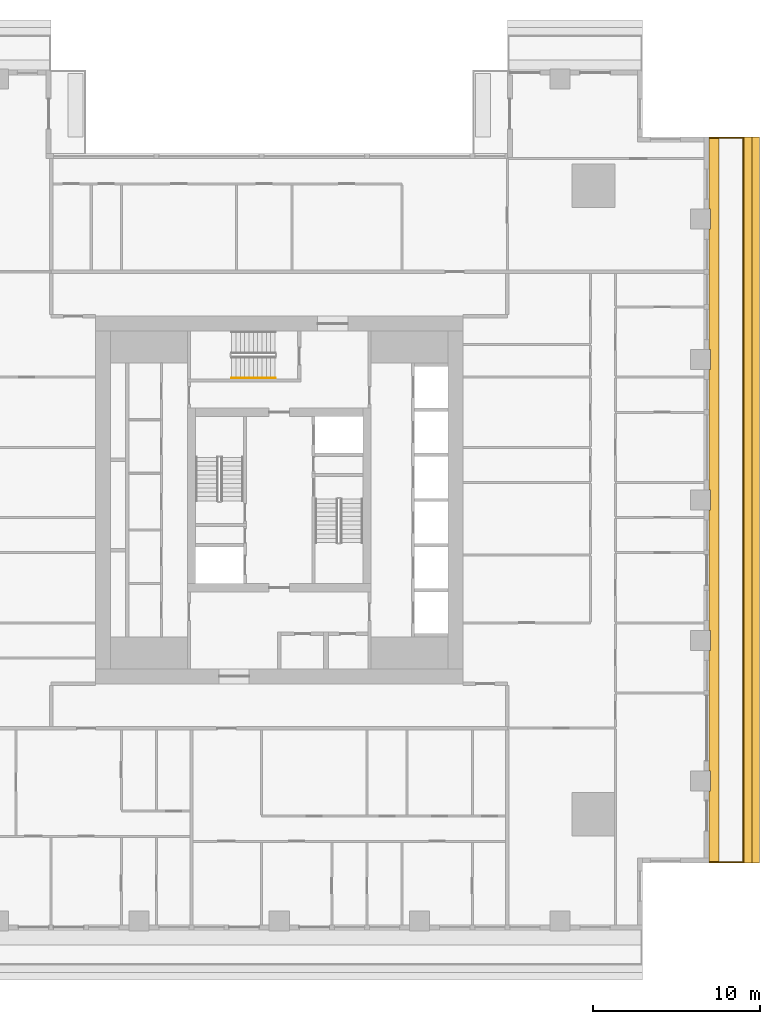
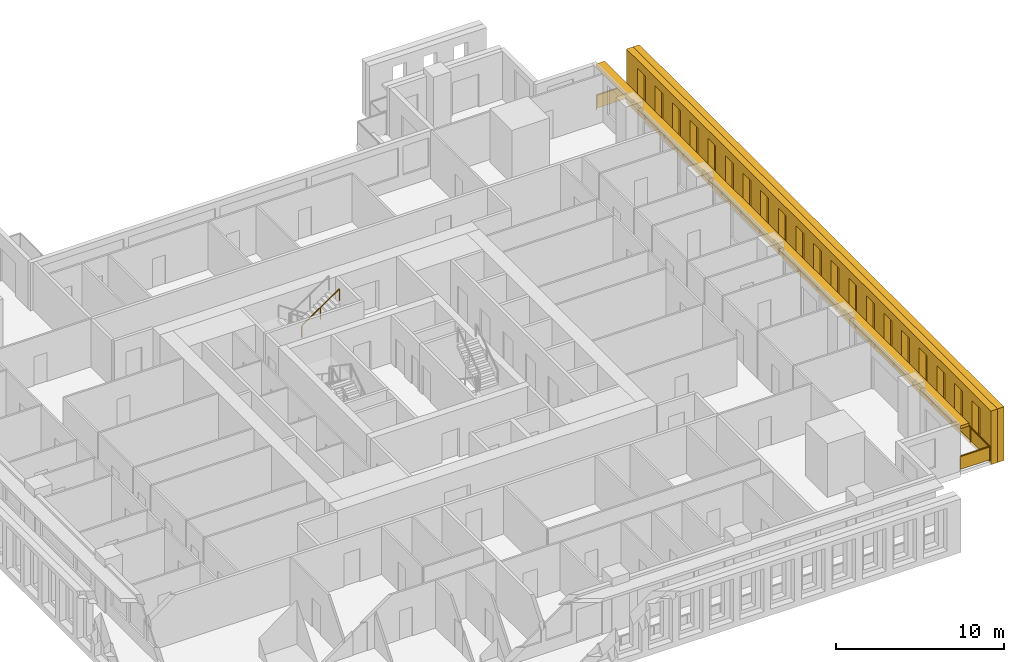
# One storey, part 14 of 16: 3 shading devices, 2 railings.
"""IFC4 building model written with IfcOpenShell, lengths in metres."""

from ifc_helpers import new_model, si_unit, direction, frame, origin, origin_2d, place, context, subcontext, project, spatial, polyline, rectangle, outline, extrude, material, layer, layer_set, type_object, element, save


model = new_model("IFC4")

# Units and contexts
model_context = context("Model", 3, precision=1e-05, world=origin(), true_north=direction((0.0, 1.0)))
body_context = subcontext(model_context, "Body", "Model", "MODEL_VIEW")
ifc_project = project(units=[si_unit("LENGTHUNIT", "METRE"), si_unit("AREAUNIT", "SQUARE_METRE"), si_unit("VOLUMEUNIT", "CUBIC_METRE"), si_unit("PLANEANGLEUNIT", "RADIAN"), si_unit("MASSUNIT", "GRAM", prefix="KILO")], contexts=[model_context])

# Site, building, storey
site_placement = place(None, origin())
site = spatial("IfcSite", under=ifc_project, at=site_placement, CompositionType="ELEMENT")
building_placement = place(site_placement, origin())
building = spatial("IfcBuilding", under=site, at=building_placement, Name="Khepri Terraces", CompositionType="ELEMENT")
storey_placement = place(building_placement, frame((0.0, 0.0, 172.800048828125)))
storey = spatial("IfcBuildingStorey", under=building, at=storey_placement, Name="L41", CompositionType="ELEMENT", Elevation=172.800048828125)

# Railings
ifc_material_1 = material(Name="Stainless steel grade 316", Category="steel")
railing_type_1 = type_object("IfcRailingType", Name="GRD-BAL-1100", PredefinedType="GUARDRAIL", material=ifc_material_1)
railing_1_placement = place(storey_placement, frame((25.719970703125, -21.669921875, 0.0)))
element("IfcRailing", 1, at=railing_1_placement, inside=storey, type_object=railing_type_1, Name="Balcony guard L41 E", PredefinedType="GUARDRAIL", context=body_context, shape_type="SweptSolid", body=[
    extrude(rectangle(XDim=0.050048828125, YDim=0.06005859375, at=origin_2d()), frame((0.0, 0.0, 1.070068359375), z_axis=(1.0, 0.0, 0.0), x_axis=(0.0, 1.0, 0.0)), (0.0, 0.0, 1.0), 2.050048828125),
    extrude(rectangle(XDim=2.0, YDim=0.011962890625, at=origin_2d()), frame((1.02490234375, 0.0, 0.10009765625), z_axis=(0.0, 0.0, 1.0), x_axis=(1.0, 0.0, 0.0)), (0.0, 0.0, 1.0), 0.93994140625),
    extrude(rectangle(XDim=0.050048828125, YDim=0.06005859375, at=origin_2d()), frame((2.050048828125, 0.0, 1.070068359375), z_axis=(0.0, 1.0, 0.0), x_axis=(-1.0, 0.0, 0.0)), (0.0, 0.0, 1.0), 43.33984375),
    extrude(rectangle(XDim=2.23095703125, YDim=0.011962890625, at=origin_2d()), frame((2.050048828125, 1.140625, 0.10009765625), z_axis=(0.0, 0.0, 1.0), x_axis=(0.0, 1.0, 0.0)), (0.0, 0.0, 1.0), 0.93994140625),
    extrude(rectangle(XDim=2.23095703125, YDim=0.011962890625, at=origin_2d()), frame((2.050048828125, 3.421630859375, 0.10009765625), z_axis=(0.0, 0.0, 1.0), x_axis=(0.0, 1.0, 0.0)), (0.0, 0.0, 1.0), 0.93994140625),
    extrude(rectangle(XDim=2.23095703125, YDim=0.011962890625, at=origin_2d()), frame((2.050048828125, 5.70263671875, 0.10009765625), z_axis=(0.0, 0.0, 1.0), x_axis=(0.0, 1.0, 0.0)), (0.0, 0.0, 1.0), 0.93994140625),
    extrude(rectangle(XDim=2.23095703125, YDim=0.011962890625, at=origin_2d()), frame((2.050048828125, 7.983642578125, 0.10009765625), z_axis=(0.0, 0.0, 1.0), x_axis=(0.0, 1.0, 0.0)), (0.0, 0.0, 1.0), 0.93994140625),
    extrude(rectangle(XDim=2.23095703125, YDim=0.011962890625, at=origin_2d()), frame((2.050048828125, 10.2646484375, 0.10009765625), z_axis=(0.0, 0.0, 1.0), x_axis=(0.0, 1.0, 0.0)), (0.0, 0.0, 1.0), 0.93994140625),
    extrude(rectangle(XDim=2.23095703125, YDim=0.011962890625, at=origin_2d()), frame((2.050048828125, 12.545654296875, 0.10009765625), z_axis=(0.0, 0.0, 1.0), x_axis=(0.0, 1.0, 0.0)), (0.0, 0.0, 1.0), 0.93994140625),
    extrude(rectangle(XDim=2.23095703125, YDim=0.011962890625, at=origin_2d()), frame((2.050048828125, 14.826904296875, 0.10009765625), z_axis=(0.0, 0.0, 1.0), x_axis=(0.0, 1.0, 0.0)), (0.0, 0.0, 1.0), 0.93994140625),
    extrude(rectangle(XDim=2.23095703125, YDim=0.011962890625, at=origin_2d()), frame((2.050048828125, 17.10791015625, 0.10009765625), z_axis=(0.0, 0.0, 1.0), x_axis=(0.0, 1.0, 0.0)), (0.0, 0.0, 1.0), 0.93994140625),
    extrude(rectangle(XDim=2.23095703125, YDim=0.011962890625, at=origin_2d()), frame((2.050048828125, 19.388916015625, 0.10009765625), z_axis=(0.0, 0.0, 1.0), x_axis=(0.0, 1.0, 0.0)), (0.0, 0.0, 1.0), 0.93994140625),
    extrude(rectangle(XDim=2.23095703125, YDim=0.011962890625, at=origin_2d()), frame((2.050048828125, 21.669921875, 0.10009765625), z_axis=(0.0, 0.0, 1.0), x_axis=(0.0, 1.0, 0.0)), (0.0, 0.0, 1.0), 0.93994140625),
    extrude(rectangle(XDim=2.23095703125, YDim=0.011962890625, at=origin_2d()), frame((2.050048828125, 23.950927734375, 0.10009765625), z_axis=(0.0, 0.0, 1.0), x_axis=(0.0, 1.0, 0.0)), (0.0, 0.0, 1.0), 0.93994140625),
    extrude(rectangle(XDim=2.23095703125, YDim=0.011962890625, at=origin_2d()), frame((2.050048828125, 26.23193359375, 0.10009765625), z_axis=(0.0, 0.0, 1.0), x_axis=(0.0, 1.0, 0.0)), (0.0, 0.0, 1.0), 0.93994140625),
    extrude(rectangle(XDim=2.23095703125, YDim=0.011962890625, at=origin_2d()), frame((2.050048828125, 28.512939453125, 0.10009765625), z_axis=(0.0, 0.0, 1.0), x_axis=(0.0, 1.0, 0.0)), (0.0, 0.0, 1.0), 0.93994140625),
    extrude(rectangle(XDim=2.23095703125, YDim=0.011962890625, at=origin_2d()), frame((2.050048828125, 30.794189453125, 0.10009765625), z_axis=(0.0, 0.0, 1.0), x_axis=(0.0, 1.0, 0.0)), (0.0, 0.0, 1.0), 0.93994140625),
    extrude(rectangle(XDim=2.23095703125, YDim=0.011962890625, at=origin_2d()), frame((2.050048828125, 33.0751953125, 0.10009765625), z_axis=(0.0, 0.0, 1.0), x_axis=(0.0, 1.0, 0.0)), (0.0, 0.0, 1.0), 0.93994140625),
    extrude(rectangle(XDim=2.23095703125, YDim=0.011962890625, at=origin_2d()), frame((2.050048828125, 35.356201171875, 0.10009765625), z_axis=(0.0, 0.0, 1.0), x_axis=(0.0, 1.0, 0.0)), (0.0, 0.0, 1.0), 0.93994140625),
    extrude(rectangle(XDim=2.23095703125, YDim=0.011962890625, at=origin_2d()), frame((2.050048828125, 37.63720703125, 0.10009765625), z_axis=(0.0, 0.0, 1.0), x_axis=(0.0, 1.0, 0.0)), (0.0, 0.0, 1.0), 0.93994140625),
    extrude(rectangle(XDim=2.23095703125, YDim=0.011962890625, at=origin_2d()), frame((2.050048828125, 39.918212890625, 0.10009765625), z_axis=(0.0, 0.0, 1.0), x_axis=(0.0, 1.0, 0.0)), (0.0, 0.0, 1.0), 0.93994140625),
    extrude(rectangle(XDim=2.23095703125, YDim=0.011962890625, at=origin_2d()), frame((2.050048828125, 42.19921875, 0.10009765625), z_axis=(0.0, 0.0, 1.0), x_axis=(0.0, 1.0, 0.0)), (0.0, 0.0, 1.0), 0.93994140625),
    extrude(rectangle(XDim=0.050048828125, YDim=0.06005859375, at=origin_2d()), frame((2.050048828125, 43.33984375, 1.070068359375), z_axis=(-1.0, 0.0, 0.0), x_axis=(0.0, -1.0, 0.0)), (0.0, 0.0, 1.0), 2.050048828125),
    extrude(rectangle(XDim=2.0, YDim=0.011962890625, at=origin_2d()), frame((1.02490234375, 43.33984375, 0.10009765625), z_axis=(0.0, 0.0, 1.0), x_axis=(-1.0, 0.0, 0.0)), (0.0, 0.0, 1.0), 0.93994140625),
    extrude(rectangle(XDim=0.050048828125, YDim=0.050048828125, at=origin_2d()), origin(), (0.0, 0.0, 1.0), 1.0400390625),
    extrude(rectangle(XDim=0.050048828125, YDim=0.050048828125, at=origin_2d()), frame((2.050048828125, 0.0, 0.0)), (0.0, 0.0, 1.0), 1.0400390625),
    extrude(rectangle(XDim=0.050048828125, YDim=0.050048828125, at=origin_2d()), frame((2.050048828125, 2.281005859375, 0.0)), (0.0, 0.0, 1.0), 1.0400390625),
    extrude(rectangle(XDim=0.050048828125, YDim=0.050048828125, at=origin_2d()), frame((2.050048828125, 4.56201171875, 0.0)), (0.0, 0.0, 1.0), 1.0400390625),
    extrude(rectangle(XDim=0.050048828125, YDim=0.050048828125, at=origin_2d()), frame((2.050048828125, 6.843017578125, 0.0)), (0.0, 0.0, 1.0), 1.0400390625),
    extrude(rectangle(XDim=0.050048828125, YDim=0.050048828125, at=origin_2d()), frame((2.050048828125, 9.124267578125, 0.0)), (0.0, 0.0, 1.0), 1.0400390625),
    extrude(rectangle(XDim=0.050048828125, YDim=0.050048828125, at=origin_2d()), frame((2.050048828125, 11.4052734375, 0.0)), (0.0, 0.0, 1.0), 1.0400390625),
    extrude(rectangle(XDim=0.050048828125, YDim=0.050048828125, at=origin_2d()), frame((2.050048828125, 13.686279296875, 0.0)), (0.0, 0.0, 1.0), 1.0400390625),
    extrude(rectangle(XDim=0.050048828125, YDim=0.050048828125, at=origin_2d()), frame((2.050048828125, 15.96728515625, 0.0)), (0.0, 0.0, 1.0), 1.0400390625),
    extrude(rectangle(XDim=0.050048828125, YDim=0.050048828125, at=origin_2d()), frame((2.050048828125, 18.248291015625, 0.0)), (0.0, 0.0, 1.0), 1.0400390625),
    extrude(rectangle(XDim=0.050048828125, YDim=0.050048828125, at=origin_2d()), frame((2.050048828125, 20.529296875, 0.0)), (0.0, 0.0, 1.0), 1.0400390625),
    extrude(rectangle(XDim=0.050048828125, YDim=0.050048828125, at=origin_2d()), frame((2.050048828125, 22.810546875, 0.0)), (0.0, 0.0, 1.0), 1.0400390625),
    extrude(rectangle(XDim=0.050048828125, YDim=0.050048828125, at=origin_2d()), frame((2.050048828125, 25.091552734375, 0.0)), (0.0, 0.0, 1.0), 1.0400390625),
    extrude(rectangle(XDim=0.050048828125, YDim=0.050048828125, at=origin_2d()), frame((2.050048828125, 27.37255859375, 0.0)), (0.0, 0.0, 1.0), 1.0400390625),
    extrude(rectangle(XDim=0.050048828125, YDim=0.050048828125, at=origin_2d()), frame((2.050048828125, 29.653564453125, 0.0)), (0.0, 0.0, 1.0), 1.0400390625),
    extrude(rectangle(XDim=0.050048828125, YDim=0.050048828125, at=origin_2d()), frame((2.050048828125, 31.9345703125, 0.0)), (0.0, 0.0, 1.0), 1.0400390625),
    extrude(rectangle(XDim=0.050048828125, YDim=0.050048828125, at=origin_2d()), frame((2.050048828125, 34.215576171875, 0.0)), (0.0, 0.0, 1.0), 1.0400390625),
    extrude(rectangle(XDim=0.050048828125, YDim=0.050048828125, at=origin_2d()), frame((2.050048828125, 36.496826171875, 0.0)), (0.0, 0.0, 1.0), 1.0400390625),
    extrude(rectangle(XDim=0.050048828125, YDim=0.050048828125, at=origin_2d()), frame((2.050048828125, 38.77783203125, 0.0)), (0.0, 0.0, 1.0), 1.0400390625),
    extrude(rectangle(XDim=0.050048828125, YDim=0.050048828125, at=origin_2d()), frame((2.050048828125, 41.058837890625, 0.0)), (0.0, 0.0, 1.0), 1.0400390625),
    extrude(rectangle(XDim=0.050048828125, YDim=0.050048828125, at=origin_2d()), frame((2.050048828125, 43.33984375, 0.0)), (0.0, 0.0, 1.0), 1.0400390625),
    extrude(rectangle(XDim=0.050048828125, YDim=0.050048828125, at=origin_2d()), frame((0.0, 43.33984375, 0.0)), (0.0, 0.0, 1.0), 1.0400390625),
])
ifc_material_2 = material(Name="Stainless steel 316", Category="steel")
railing_type_2 = type_object("IfcRailingType", Name="RL-CORE-HANDRAIL", PredefinedType="HANDRAIL", material=ifc_material_2)
railing_2_placement = place(storey_placement, frame((-2.85009765625, 7.300048828125, 2.127197265625)))
element("IfcRailing", 2, at=railing_2_placement, inside=storey, type_object=railing_type_2, Name="L41 ST-3 stair handrail 2", PredefinedType="HANDRAIL", context=body_context, shape_type="SweptSolid", body=[
    extrude(rectangle(XDim=0.050048828125, YDim=0.050048828125, at=origin_2d()), frame((0.0, 0.0, 0.875), z_axis=(0.826240473404, 0.0, 0.563317565952), x_axis=(0.0, 1.0, 0.0)), (0.0, 0.0, 1.0), 3.14697265625),
    extrude(rectangle(XDim=0.050048828125, YDim=0.050048828125, at=origin_2d()), origin(), (0.0, 0.0, 1.0), 0.849853515625),
    extrude(rectangle(XDim=0.050048828125, YDim=0.050048828125, at=origin_2d()), frame((1.300048828125, 0.0, 0.88623046875)), (0.0, 0.0, 1.0), 0.849853515625),
    extrude(rectangle(XDim=0.050048828125, YDim=0.050048828125, at=origin_2d()), frame((2.60009765625, 0.0, 1.772705078125)), (0.0, 0.0, 1.0), 0.849853515625),
])

# Shading devices
ifc_material_3 = material(Name="Precast concrete C50/60 warm stone", Category="masonry")
shading_device_type_1 = type_object("IfcShadingDeviceType", Name="SCR-CELL-INNER-450", PredefinedType="USERDEFINED", material=ifc_material_3)
shading_device_1_placement = place(storey_placement, frame((27.820068359375, -21.719970703125, -0.25), z_axis=(1.0, 0.0, 0.0), x_axis=(0.0, 1.0, 0.0)))
element("IfcShadingDevice", 3, at=shading_device_1_placement, inside=storey, type_object=shading_device_type_1, Name="Cell screen L41 E in", ObjectType="SCREEN", PredefinedType="USERDEFINED", context=body_context, shape_type="SweptSolid", body=[
    extrude(outline(polyline([(0.0, 0.0), (43.43994140625, 0.0), (43.43994140625, 3.89990234375), (0.0, 3.89990234375), (0.0, 0.0)]), holes=[polyline([(1.297607421875, 0.699951171875), (2.242431640625, 0.699951171875), (2.242431640625, 3.300048828125), (1.297607421875, 3.300048828125), (1.297607421875, 0.699951171875)]), polyline([(3.3974609375, 0.699951171875), (4.342529296875, 0.699951171875), (4.342529296875, 3.300048828125), (3.3974609375, 3.300048828125), (3.3974609375, 0.699951171875)]), polyline([(5.49755859375, 0.699951171875), (6.4423828125, 0.699951171875), (6.4423828125, 3.300048828125), (5.49755859375, 3.300048828125), (5.49755859375, 0.699951171875)]), polyline([(7.597412109375, 0.699951171875), (8.54248046875, 0.699951171875), (8.54248046875, 3.300048828125), (7.597412109375, 3.300048828125), (7.597412109375, 0.699951171875)]), polyline([(9.697509765625, 0.699951171875), (10.642578125, 0.699951171875), (10.642578125, 3.300048828125), (9.697509765625, 3.300048828125), (9.697509765625, 0.699951171875)]), polyline([(11.797607421875, 0.699951171875), (12.742431640625, 0.699951171875), (12.742431640625, 3.300048828125), (11.797607421875, 3.300048828125), (11.797607421875, 0.699951171875)]), polyline([(13.8974609375, 0.699951171875), (14.842529296875, 0.699951171875), (14.842529296875, 3.300048828125), (13.8974609375, 3.300048828125), (13.8974609375, 0.699951171875)]), polyline([(15.99755859375, 0.699951171875), (16.9423828125, 0.699951171875), (16.9423828125, 3.300048828125), (15.99755859375, 3.300048828125), (15.99755859375, 0.699951171875)]), polyline([(18.097412109375, 0.699951171875), (19.04248046875, 0.699951171875), (19.04248046875, 3.300048828125), (18.097412109375, 3.300048828125), (18.097412109375, 0.699951171875)]), polyline([(20.197509765625, 0.699951171875), (21.142578125, 0.699951171875), (21.142578125, 3.300048828125), (20.197509765625, 3.300048828125), (20.197509765625, 0.699951171875)]), polyline([(22.297607421875, 0.699951171875), (23.242431640625, 0.699951171875), (23.242431640625, 3.300048828125), (22.297607421875, 3.300048828125), (22.297607421875, 0.699951171875)]), polyline([(24.3974609375, 0.699951171875), (25.342529296875, 0.699951171875), (25.342529296875, 3.300048828125), (24.3974609375, 3.300048828125), (24.3974609375, 0.699951171875)]), polyline([(26.49755859375, 0.699951171875), (27.4423828125, 0.699951171875), (27.4423828125, 3.300048828125), (26.49755859375, 3.300048828125), (26.49755859375, 0.699951171875)]), polyline([(28.597412109375, 0.699951171875), (29.54248046875, 0.699951171875), (29.54248046875, 3.300048828125), (28.597412109375, 3.300048828125), (28.597412109375, 0.699951171875)]), polyline([(30.697509765625, 0.699951171875), (31.642578125, 0.699951171875), (31.642578125, 3.300048828125), (30.697509765625, 3.300048828125), (30.697509765625, 0.699951171875)]), polyline([(32.797607421875, 0.699951171875), (33.742431640625, 0.699951171875), (33.742431640625, 3.300048828125), (32.797607421875, 3.300048828125), (32.797607421875, 0.699951171875)]), polyline([(34.8974609375, 0.699951171875), (35.842529296875, 0.699951171875), (35.842529296875, 3.300048828125), (34.8974609375, 3.300048828125), (34.8974609375, 0.699951171875)]), polyline([(36.99755859375, 0.699951171875), (37.9423828125, 0.699951171875), (37.9423828125, 3.300048828125), (36.99755859375, 3.300048828125), (36.99755859375, 0.699951171875)]), polyline([(39.097412109375, 0.699951171875), (40.04248046875, 0.699951171875), (40.04248046875, 3.300048828125), (39.097412109375, 3.300048828125), (39.097412109375, 0.699951171875)]), polyline([(41.197509765625, 0.699951171875), (42.142578125, 0.699951171875), (42.142578125, 3.300048828125), (41.197509765625, 3.300048828125), (41.197509765625, 0.699951171875)])]), origin(), (0.0, 0.0, 1.0), 0.449951171875),
])
shading_device_type_2 = type_object("IfcShadingDeviceType", Name="SCR-CELL-OUTER-450", PredefinedType="USERDEFINED", material=ifc_material_3)
shading_device_2_placement = place(storey_placement, frame((28.27001953125, -21.719970703125, -0.25), z_axis=(1.0, 0.0, 0.0), x_axis=(0.0, 1.0, 0.0)))
element("IfcShadingDevice", 4, at=shading_device_2_placement, inside=storey, type_object=shading_device_type_2, Name="Cell screen L41 E out", ObjectType="SCREEN", PredefinedType="USERDEFINED", context=body_context, shape_type="SweptSolid", body=[
    extrude(outline(polyline([(0.0, 0.0), (43.43994140625, 0.0), (43.43994140625, 3.89990234375), (0.0, 3.89990234375), (0.0, 0.0)]), holes=[polyline([(0.947509765625, 0.449951171875), (2.592529296875, 0.449951171875), (2.592529296875, 3.550048828125), (0.947509765625, 3.550048828125), (0.947509765625, 0.449951171875)]), polyline([(3.047607421875, 0.449951171875), (4.6923828125, 0.449951171875), (4.6923828125, 3.550048828125), (3.047607421875, 3.550048828125), (3.047607421875, 0.449951171875)]), polyline([(5.1474609375, 0.449951171875), (6.79248046875, 0.449951171875), (6.79248046875, 3.550048828125), (5.1474609375, 3.550048828125), (5.1474609375, 0.449951171875)]), polyline([(7.24755859375, 0.449951171875), (8.892578125, 0.449951171875), (8.892578125, 3.550048828125), (7.24755859375, 3.550048828125), (7.24755859375, 0.449951171875)]), polyline([(9.347412109375, 0.449951171875), (10.992431640625, 0.449951171875), (10.992431640625, 3.550048828125), (9.347412109375, 3.550048828125), (9.347412109375, 0.449951171875)]), polyline([(11.447509765625, 0.449951171875), (13.092529296875, 0.449951171875), (13.092529296875, 3.550048828125), (11.447509765625, 3.550048828125), (11.447509765625, 0.449951171875)]), polyline([(13.547607421875, 0.449951171875), (15.1923828125, 0.449951171875), (15.1923828125, 3.550048828125), (13.547607421875, 3.550048828125), (13.547607421875, 0.449951171875)]), polyline([(15.6474609375, 0.449951171875), (17.29248046875, 0.449951171875), (17.29248046875, 3.550048828125), (15.6474609375, 3.550048828125), (15.6474609375, 0.449951171875)]), polyline([(17.74755859375, 0.449951171875), (19.392578125, 0.449951171875), (19.392578125, 3.550048828125), (17.74755859375, 3.550048828125), (17.74755859375, 0.449951171875)]), polyline([(19.847412109375, 0.449951171875), (21.492431640625, 0.449951171875), (21.492431640625, 3.550048828125), (19.847412109375, 3.550048828125), (19.847412109375, 0.449951171875)]), polyline([(21.947509765625, 0.449951171875), (23.592529296875, 0.449951171875), (23.592529296875, 3.550048828125), (21.947509765625, 3.550048828125), (21.947509765625, 0.449951171875)]), polyline([(24.047607421875, 0.449951171875), (25.6923828125, 0.449951171875), (25.6923828125, 3.550048828125), (24.047607421875, 3.550048828125), (24.047607421875, 0.449951171875)]), polyline([(26.1474609375, 0.449951171875), (27.79248046875, 0.449951171875), (27.79248046875, 3.550048828125), (26.1474609375, 3.550048828125), (26.1474609375, 0.449951171875)]), polyline([(28.24755859375, 0.449951171875), (29.892578125, 0.449951171875), (29.892578125, 3.550048828125), (28.24755859375, 3.550048828125), (28.24755859375, 0.449951171875)]), polyline([(30.347412109375, 0.449951171875), (31.992431640625, 0.449951171875), (31.992431640625, 3.550048828125), (30.347412109375, 3.550048828125), (30.347412109375, 0.449951171875)]), polyline([(32.447509765625, 0.449951171875), (34.092529296875, 0.449951171875), (34.092529296875, 3.550048828125), (32.447509765625, 3.550048828125), (32.447509765625, 0.449951171875)]), polyline([(34.547607421875, 0.449951171875), (36.1923828125, 0.449951171875), (36.1923828125, 3.550048828125), (34.547607421875, 3.550048828125), (34.547607421875, 0.449951171875)]), polyline([(36.6474609375, 0.449951171875), (38.29248046875, 0.449951171875), (38.29248046875, 3.550048828125), (36.6474609375, 3.550048828125), (36.6474609375, 0.449951171875)]), polyline([(38.74755859375, 0.449951171875), (40.392578125, 0.449951171875), (40.392578125, 3.550048828125), (38.74755859375, 3.550048828125), (38.74755859375, 0.449951171875)]), polyline([(40.847412109375, 0.449951171875), (42.492431640625, 0.449951171875), (42.492431640625, 3.550048828125), (40.847412109375, 3.550048828125), (40.847412109375, 0.449951171875)])]), origin(), (0.0, 0.0, 1.0), 0.449951171875),
])
ifc_layer = layer(ifc_material_3, 0.199951171875, Name="Precast concrete C50/60 warm stone", Category="masonry")
ifc_layer_set = layer_set([ifc_layer], Name="Precast concrete C50/60 warm stone")
shading_device_type_3 = type_object("IfcShadingDeviceType", Name="SSH-BAND-STONE-200-N", PredefinedType="USERDEFINED", material=ifc_layer_set)
shading_device_3_placement = place(storey_placement, frame((0.0, 0.0, 3.099853515625)))
element("IfcShadingDevice", 5, at=shading_device_3_placement, inside=storey, type_object=shading_device_type_3, Name="Sunshade band L41 E", ObjectType="SUNSHADE", PredefinedType="USERDEFINED", context=body_context, shape_type="SweptSolid", body=[
    extrude(outline(polyline([(25.719970703125, -17.39990234375), (25.719970703125, -21.719970703125), (26.320068359375, -21.719970703125), (26.320068359375, 21.719970703125), (25.719970703125, 21.719970703125), (25.719970703125, 17.39990234375), (25.800048828125, 17.39990234375), (25.800048828125, 16.199951171875), (25.719970703125, 16.199951171875), (25.719970703125, 9.0), (25.800048828125, 9.0), (25.800048828125, 7.800048828125), (25.719970703125, 7.800048828125), (25.719970703125, 0.60009765625), (25.800048828125, 0.60009765625), (25.800048828125, -0.60009765625), (25.719970703125, -0.60009765625), (25.719970703125, -7.800048828125), (25.800048828125, -7.800048828125), (25.800048828125, -9.0), (25.719970703125, -9.0), (25.719970703125, -16.199951171875), (25.800048828125, -16.199951171875), (25.800048828125, -17.39990234375), (25.719970703125, -17.39990234375)])), origin(), (0.0, 0.0, 1.0), 0.2001953125),
])

save(model, "model.ifc")
